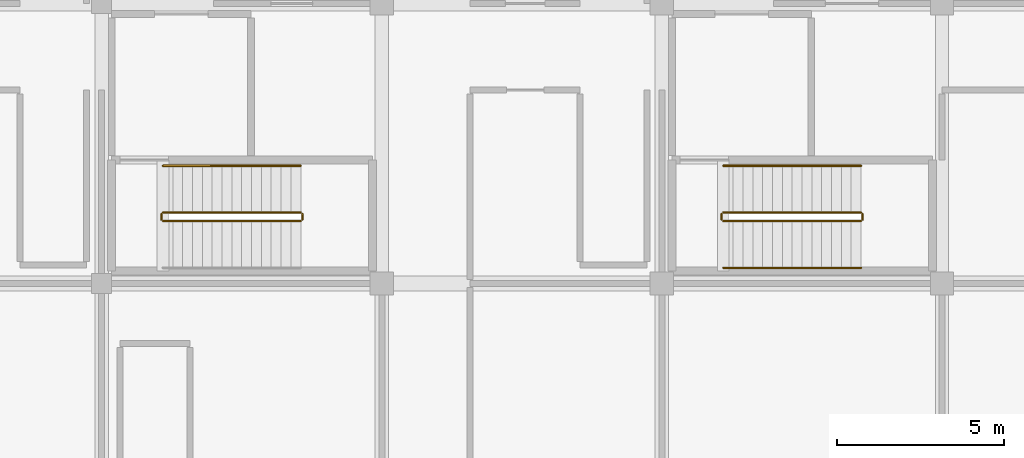
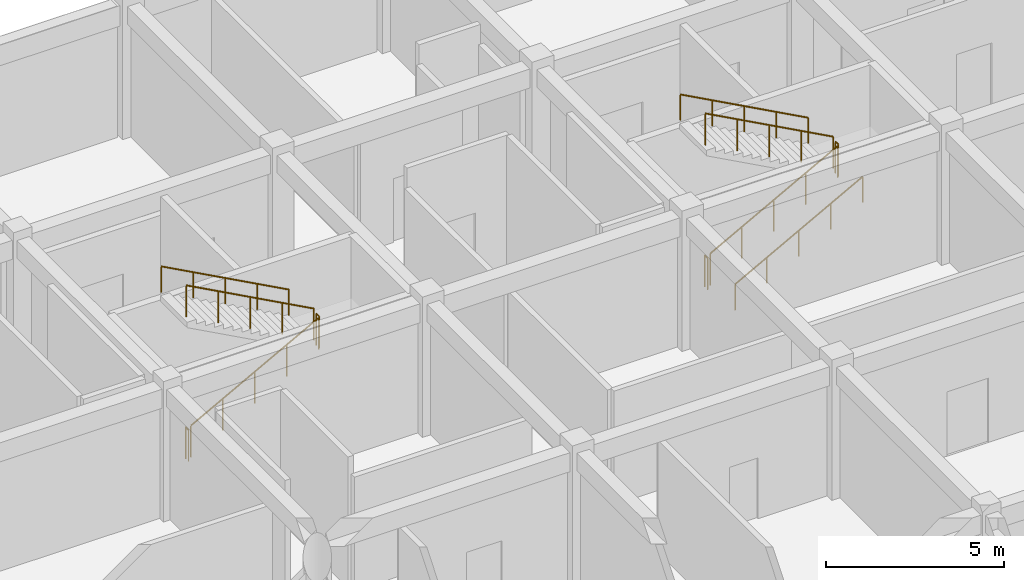
# One storey, part 125 of 138: 11 railings.
"""IFC4 building model written with IfcOpenShell, lengths in metres."""

from ifc_helpers import new_model, si_unit, direction, frame, origin, origin_2d, place, context, subcontext, project, spatial, circle, extrude, material, type_object, element, save


model = new_model("IFC4")

# Units and contexts
model_context = context("Model", 3, precision=1e-05, world=origin(), true_north=direction((0.0, 1.0)))
body_context = subcontext(model_context, "Body", "Model", "MODEL_VIEW")
ifc_project = project(units=[si_unit("LENGTHUNIT", "METRE"), si_unit("AREAUNIT", "SQUARE_METRE"), si_unit("VOLUMEUNIT", "CUBIC_METRE"), si_unit("PLANEANGLEUNIT", "RADIAN"), si_unit("MASSUNIT", "GRAM", prefix="KILO")], contexts=[model_context])

# Site, building, storey
site_placement = place(None, origin())
site = spatial("IfcSite", under=ifc_project, at=site_placement, CompositionType="ELEMENT")
building_placement = place(site_placement, origin())
building = spatial("IfcBuilding", under=site, at=building_placement, Name="Bramfleet General Hospital", CompositionType="ELEMENT")
storey_placement = place(building_placement, origin())
storey = spatial("IfcBuildingStorey", under=building, at=storey_placement, Name="L00", CompositionType="ELEMENT", Elevation=0.0)

# Railings
ifc_material_1 = material(Name="Powder-coated steel stair balustrade", Category="steel")
railing_type_1 = type_object("IfcRailingType", Name="RAIL-ST-GUARD", PredefinedType="GUARDRAIL", material=ifc_material_1)
railing_1_placement = place(storey_placement, frame((35.43994140625, 102.669921875, 0.159912109375)))
element("IfcRailing", 1, at=railing_1_placement, inside=storey, type_object=railing_type_1, Name="L00 ST-C8 stair guard 1", PredefinedType="GUARDRAIL", context=body_context, shape_type="SweptSolid", body=[
    extrude(circle(Radius=0.02392578125, at=origin_2d()), frame((0.0, 0.0, 1.076171875), z_axis=(0.879038868435, 0.0, 0.476750110415), x_axis=(0.0, 1.0, 0.0)), (0.0, 0.0, 1.0), 4.698486328125),
    extrude(circle(Radius=0.02099609375, at=origin_2d()), origin(), (0.0, 0.0, 1.0), 1.052001953125),
    extrude(circle(Radius=0.02099609375, at=origin_2d()), frame((1.032470703125, 0.0, 0.56005859375)), (0.0, 0.0, 1.0), 1.052001953125),
    extrude(circle(Radius=0.02099609375, at=origin_2d()), frame((2.06494140625, 0.0, 1.1201171875)), (0.0, 0.0, 1.0), 1.052001953125),
    extrude(circle(Radius=0.02099609375, at=origin_2d()), frame((3.09765625, 0.0, 1.679931640625)), (0.0, 0.0, 1.0), 1.052001953125),
    extrude(circle(Radius=0.02099609375, at=origin_2d()), frame((4.130126953125, 0.0, 2.239990234375)), (0.0, 0.0, 1.0), 1.052001953125),
])
railing_2_placement = place(storey_placement, frame((39.6201171875, 102.719970703125, 2.39990234375)))
element("IfcRailing", 2, at=railing_2_placement, inside=storey, type_object=railing_type_1, Name="L00 ST-C8 stair guard 2", PredefinedType="GUARDRAIL", context=body_context, shape_type="SweptSolid", body=[
    extrude(circle(Radius=0.02392578125, at=origin_2d()), frame((0.0, 0.0, 1.076171875), z_axis=(0.0, 1.0, 0.0), x_axis=(-1.0, 0.0, 0.0)), (0.0, 0.0, 1.0), 0.159912109375),
    extrude(circle(Radius=0.02099609375, at=origin_2d()), origin(), (0.0, 0.0, 1.0), 1.052001953125),
    extrude(circle(Radius=0.02099609375, at=origin_2d()), frame((0.0, 0.159912109375, 0.0)), (0.0, 0.0, 1.0), 1.052001953125),
])
railing_3_placement = place(storey_placement, frame((39.570068359375, 102.929931640625, 2.56005859375)))
element("IfcRailing", 3, at=railing_3_placement, inside=storey, type_object=railing_type_1, Name="L00 ST-C8 stair guard 3", PredefinedType="GUARDRAIL", context=body_context, shape_type="SweptSolid", body=[
    extrude(circle(Radius=0.02392578125, at=origin_2d()), frame((0.0, 0.0, 1.076171875), z_axis=(-0.879038868435, 0.0, 0.476750110415), x_axis=(0.0, -1.0, 0.0)), (0.0, 0.0, 1.0), 4.698486328125),
    extrude(circle(Radius=0.02099609375, at=origin_2d()), origin(), (0.0, 0.0, 1.0), 1.052001953125),
    extrude(circle(Radius=0.02099609375, at=origin_2d()), frame((-1.032470703125, 0.0, 0.56005859375)), (0.0, 0.0, 1.0), 1.052001953125),
    extrude(circle(Radius=0.02099609375, at=origin_2d()), frame((-2.06494140625, 0.0, 1.1201171875)), (0.0, 0.0, 1.0), 1.052001953125),
    extrude(circle(Radius=0.02099609375, at=origin_2d()), frame((-3.09765625, 0.0, 1.679931640625)), (0.0, 0.0, 1.0), 1.052001953125),
    extrude(circle(Radius=0.02099609375, at=origin_2d()), frame((-4.130126953125, 0.0, 2.239990234375)), (0.0, 0.0, 1.0), 1.052001953125),
])
railing_4_placement = place(storey_placement, frame((35.389892578125, 102.719970703125, 0.0)))
element("IfcRailing", 4, at=railing_4_placement, inside=storey, type_object=railing_type_1, Name="L00 ST-C8 stair guard 4", PredefinedType="GUARDRAIL", context=body_context, shape_type="SweptSolid", body=[
    extrude(circle(Radius=0.02392578125, at=origin_2d()), frame((0.0, 0.0, 1.076171875), z_axis=(0.0, 1.0, 0.0), x_axis=(-1.0, 0.0, 0.0)), (0.0, 0.0, 1.0), 0.159912109375),
    extrude(circle(Radius=0.02099609375, at=origin_2d()), origin(), (0.0, 0.0, 1.0), 1.052001953125),
    extrude(circle(Radius=0.02099609375, at=origin_2d()), frame((0.0, 0.159912109375, 0.0)), (0.0, 0.0, 1.0), 1.052001953125),
])
railing_5_placement = place(storey_placement, frame((52.239990234375, 102.669921875, 0.159912109375)))
element("IfcRailing", 5, at=railing_5_placement, inside=storey, type_object=railing_type_1, Name="L00 ST-C14 stair guard 1", PredefinedType="GUARDRAIL", context=body_context, shape_type="SweptSolid", body=[
    extrude(circle(Radius=0.02392578125, at=origin_2d()), frame((0.0, 0.0, 1.076171875), z_axis=(0.879038868435, 0.0, 0.476750110415), x_axis=(0.0, 1.0, 0.0)), (0.0, 0.0, 1.0), 4.698486328125),
    extrude(circle(Radius=0.02099609375, at=origin_2d()), origin(), (0.0, 0.0, 1.0), 1.052001953125),
    extrude(circle(Radius=0.02099609375, at=origin_2d()), frame((1.032470703125, 0.0, 0.56005859375)), (0.0, 0.0, 1.0), 1.052001953125),
    extrude(circle(Radius=0.02099609375, at=origin_2d()), frame((2.06494140625, 0.0, 1.1201171875)), (0.0, 0.0, 1.0), 1.052001953125),
    extrude(circle(Radius=0.02099609375, at=origin_2d()), frame((3.09765625, 0.0, 1.679931640625)), (0.0, 0.0, 1.0), 1.052001953125),
    extrude(circle(Radius=0.02099609375, at=origin_2d()), frame((4.130126953125, 0.0, 2.239990234375)), (0.0, 0.0, 1.0), 1.052001953125),
])
railing_6_placement = place(storey_placement, frame((56.419921875, 102.719970703125, 2.39990234375)))
element("IfcRailing", 6, at=railing_6_placement, inside=storey, type_object=railing_type_1, Name="L00 ST-C14 stair guard 2", PredefinedType="GUARDRAIL", context=body_context, shape_type="SweptSolid", body=[
    extrude(circle(Radius=0.02392578125, at=origin_2d()), frame((0.0, 0.0, 1.076171875), z_axis=(0.0, 1.0, 0.0), x_axis=(-1.0, 0.0, 0.0)), (0.0, 0.0, 1.0), 0.159912109375),
    extrude(circle(Radius=0.02099609375, at=origin_2d()), origin(), (0.0, 0.0, 1.0), 1.052001953125),
    extrude(circle(Radius=0.02099609375, at=origin_2d()), frame((0.0, 0.159912109375, 0.0)), (0.0, 0.0, 1.0), 1.052001953125),
])
railing_7_placement = place(storey_placement, frame((56.3701171875, 102.929931640625, 2.56005859375)))
element("IfcRailing", 7, at=railing_7_placement, inside=storey, type_object=railing_type_1, Name="L00 ST-C14 stair guard 3", PredefinedType="GUARDRAIL", context=body_context, shape_type="SweptSolid", body=[
    extrude(circle(Radius=0.02392578125, at=origin_2d()), frame((0.0, 0.0, 1.076171875), z_axis=(-0.879038868435, 0.0, 0.476750110415), x_axis=(0.0, -1.0, 0.0)), (0.0, 0.0, 1.0), 4.698486328125),
    extrude(circle(Radius=0.02099609375, at=origin_2d()), origin(), (0.0, 0.0, 1.0), 1.052001953125),
    extrude(circle(Radius=0.02099609375, at=origin_2d()), frame((-1.032470703125, 0.0, 0.56005859375)), (0.0, 0.0, 1.0), 1.052001953125),
    extrude(circle(Radius=0.02099609375, at=origin_2d()), frame((-2.06494140625, 0.0, 1.1201171875)), (0.0, 0.0, 1.0), 1.052001953125),
    extrude(circle(Radius=0.02099609375, at=origin_2d()), frame((-3.09765625, 0.0, 1.679931640625)), (0.0, 0.0, 1.0), 1.052001953125),
    extrude(circle(Radius=0.02099609375, at=origin_2d()), frame((-4.130126953125, 0.0, 2.239990234375)), (0.0, 0.0, 1.0), 1.052001953125),
])
railing_8_placement = place(storey_placement, frame((52.18994140625, 102.719970703125, 0.0)))
element("IfcRailing", 8, at=railing_8_placement, inside=storey, type_object=railing_type_1, Name="L00 ST-C14 stair guard 4", PredefinedType="GUARDRAIL", context=body_context, shape_type="SweptSolid", body=[
    extrude(circle(Radius=0.02392578125, at=origin_2d()), frame((0.0, 0.0, 1.076171875), z_axis=(0.0, 1.0, 0.0), x_axis=(-1.0, 0.0, 0.0)), (0.0, 0.0, 1.0), 0.159912109375),
    extrude(circle(Radius=0.02099609375, at=origin_2d()), origin(), (0.0, 0.0, 1.0), 1.052001953125),
    extrude(circle(Radius=0.02099609375, at=origin_2d()), frame((0.0, 0.159912109375, 0.0)), (0.0, 0.0, 1.0), 1.052001953125),
])
ifc_material_2 = material(Name="Stainless steel 1.4301 stair handrail", Category="steel")
railing_type_2 = type_object("IfcRailingType", Name="RAIL-ST-HND", PredefinedType="HANDRAIL", material=ifc_material_2)
railing_9_placement = place(storey_placement, frame((39.570068359375, 104.330078125, 2.56005859375)))
element("IfcRailing", 9, at=railing_9_placement, inside=storey, type_object=railing_type_2, Name="L00 ST-C8 stair handrail 2", PredefinedType="HANDRAIL", context=body_context, shape_type="SweptSolid", body=[
    extrude(circle(Radius=0.02392578125, at=origin_2d()), frame((0.0, 0.0, 0.8759765625), z_axis=(-0.879038868435, 0.0, 0.476750110415), x_axis=(0.0, -1.0, 0.0)), (0.0, 0.0, 1.0), 4.698486328125),
    extrude(circle(Radius=0.02099609375, at=origin_2d()), origin(), (0.0, 0.0, 1.0), 0.851806640625),
    extrude(circle(Radius=0.02099609375, at=origin_2d()), frame((-1.032470703125, 0.0, 0.56005859375)), (0.0, 0.0, 1.0), 0.851806640625),
    extrude(circle(Radius=0.02099609375, at=origin_2d()), frame((-2.06494140625, 0.0, 1.1201171875)), (0.0, 0.0, 1.0), 0.851806640625),
    extrude(circle(Radius=0.02099609375, at=origin_2d()), frame((-3.09765625, 0.0, 1.679931640625)), (0.0, 0.0, 1.0), 0.851806640625),
    extrude(circle(Radius=0.02099609375, at=origin_2d()), frame((-4.130126953125, 0.0, 2.239990234375)), (0.0, 0.0, 1.0), 0.851806640625),
])
railing_10_placement = place(storey_placement, frame((52.239990234375, 101.27001953125, 0.159912109375)))
element("IfcRailing", 10, at=railing_10_placement, inside=storey, type_object=railing_type_2, Name="L00 ST-C14 stair handrail 1", PredefinedType="HANDRAIL", context=body_context, shape_type="SweptSolid", body=[
    extrude(circle(Radius=0.02392578125, at=origin_2d()), frame((0.0, 0.0, 0.8759765625), z_axis=(0.879038868435, 0.0, 0.476750110415), x_axis=(0.0, 1.0, 0.0)), (0.0, 0.0, 1.0), 4.698486328125),
    extrude(circle(Radius=0.02099609375, at=origin_2d()), origin(), (0.0, 0.0, 1.0), 0.851806640625),
    extrude(circle(Radius=0.02099609375, at=origin_2d()), frame((1.032470703125, 0.0, 0.56005859375)), (0.0, 0.0, 1.0), 0.851806640625),
    extrude(circle(Radius=0.02099609375, at=origin_2d()), frame((2.06494140625, 0.0, 1.1201171875)), (0.0, 0.0, 1.0), 0.851806640625),
    extrude(circle(Radius=0.02099609375, at=origin_2d()), frame((3.09765625, 0.0, 1.679931640625)), (0.0, 0.0, 1.0), 0.851806640625),
    extrude(circle(Radius=0.02099609375, at=origin_2d()), frame((4.130126953125, 0.0, 2.239990234375)), (0.0, 0.0, 1.0), 0.851806640625),
])
railing_11_placement = place(storey_placement, frame((56.3701171875, 104.330078125, 2.56005859375)))
element("IfcRailing", 11, at=railing_11_placement, inside=storey, type_object=railing_type_2, Name="L00 ST-C14 stair handrail 2", PredefinedType="HANDRAIL", context=body_context, shape_type="SweptSolid", body=[
    extrude(circle(Radius=0.02392578125, at=origin_2d()), frame((0.0, 0.0, 0.8759765625), z_axis=(-0.879038868435, 0.0, 0.476750110415), x_axis=(0.0, -1.0, 0.0)), (0.0, 0.0, 1.0), 4.698486328125),
    extrude(circle(Radius=0.02099609375, at=origin_2d()), origin(), (0.0, 0.0, 1.0), 0.851806640625),
    extrude(circle(Radius=0.02099609375, at=origin_2d()), frame((-1.032470703125, 0.0, 0.56005859375)), (0.0, 0.0, 1.0), 0.851806640625),
    extrude(circle(Radius=0.02099609375, at=origin_2d()), frame((-2.06494140625, 0.0, 1.1201171875)), (0.0, 0.0, 1.0), 0.851806640625),
    extrude(circle(Radius=0.02099609375, at=origin_2d()), frame((-3.09765625, 0.0, 1.679931640625)), (0.0, 0.0, 1.0), 0.851806640625),
    extrude(circle(Radius=0.02099609375, at=origin_2d()), frame((-4.130126953125, 0.0, 2.239990234375)), (0.0, 0.0, 1.0), 0.851806640625),
])

save(model, "model.ifc")
